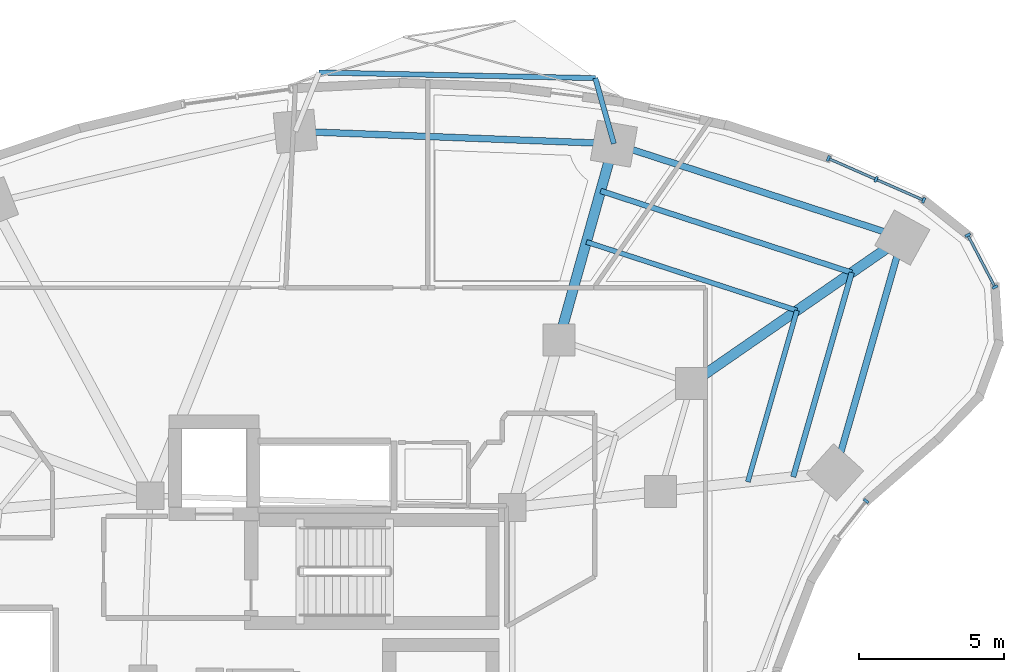
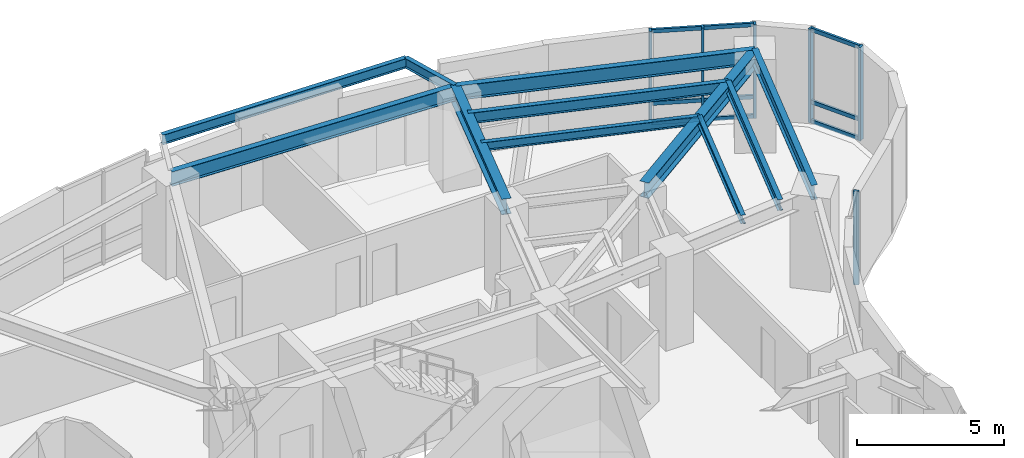
# One storey, part 6 of 15: 15 members, 11 beams, 3 elements without a shape of their own.
"""IFC4 building model written with IfcOpenShell, lengths in metres."""

from ifc_helpers import new_model, si_unit, direction, frame, origin, origin_2d, place, context, subcontext, project, spatial, rectangle, i_section, extrude, material, layer, layer_set, material_profile, profile_set, type_object, element, aggregate, save


model = new_model("IFC4")

# Units and contexts
model_context = context("Model", 3, precision=1e-05, world=origin(), true_north=direction((0.0, 1.0)))
body_context = subcontext(model_context, "Body", "Model", "MODEL_VIEW")
ifc_project = project(units=[si_unit("LENGTHUNIT", "METRE"), si_unit("AREAUNIT", "SQUARE_METRE"), si_unit("VOLUMEUNIT", "CUBIC_METRE"), si_unit("PLANEANGLEUNIT", "RADIAN"), si_unit("MASSUNIT", "GRAM", prefix="KILO")], contexts=[model_context])

# Site, building, storey
site_placement = place(None, origin())
site = spatial("IfcSite", under=ifc_project, at=site_placement, CompositionType="ELEMENT")
building_placement = place(site_placement, origin())
building = spatial("IfcBuilding", under=site, at=building_placement, Name="Korentha Bioscience Tower", CompositionType="ELEMENT")
storey_placement = place(building_placement, frame((0.0, 0.0, 42.60009765625)))
storey = spatial("IfcBuildingStorey", under=building, at=storey_placement, Name="L09", CompositionType="ELEMENT", Elevation=42.60009765625)

# Curtain wall, members
ifc_material_1 = material(Name="Thermally Broken Aluminium Frame", Category="aluminium")
ifc_layer = layer(ifc_material_1, 0.219970703125, Name="Thermally Broken Aluminium Frame")
ifc_layer_set = layer_set([ifc_layer], Name="Thermally Broken Aluminium Frame (CW-T1)")
curtain_wall_type = type_object("IfcCurtainWallType", Name="Standard Bioscience Lab Unitised Curtain Wall CW-T1", PredefinedType="USERDEFINED", material=ifc_layer_set)
curtain_wall_1_placement = place(storey_placement, origin())
curtain_wall_1 = element("IfcCurtainWall", 1, at=curtain_wall_1_placement, inside=storey, type_object=curtain_wall_type, Name="L09 Curtain Wall 01", ObjectType="UNITISED", PredefinedType="USERDEFINED")
ifc_material_2 = material(Name="Anodised Aluminium 6063-T6", Category="aluminium")
ifc_material_profile_1 = material_profile(ifc_material_2, rectangle(XDim=0.090087890625, YDim=0.199951171875, at=origin_2d()), Name="Anodised Aluminium 6063-T6")
ifc_profile_set_1 = profile_set([ifc_material_profile_1], Name="Anodised Aluminium 6063-T6 (CW-MUL)")
member_type_1 = type_object("IfcMemberType", Name="Mullion RECT 90x200", PredefinedType="MULLION", material=ifc_profile_set_1)
member_1_placement = place(storey_placement, frame((51.71337890625, 46.420654296875, 0.0), z_axis=(0.0, 0.0, 1.0), x_axis=(-0.91593909057, 0.401317308828, 0.0)))
member_1 = element("IfcMember", 2, at=member_1_placement, type_object=member_type_1, Name="CW-L09-01 Mullion 1", PredefinedType="MULLION", context=body_context, shape_type="SweptSolid", body=[
    extrude(rectangle(XDim=0.090087890625, YDim=0.199951171875, at=origin_2d()), origin(), (0.0, 0.0, 1.0), 3.89990234375),
])
member_2_placement = place(storey_placement, frame((50.072998046875, 47.139404296875, 0.0), z_axis=(0.0, 0.0, 1.0), x_axis=(-0.91593909057, 0.401317308828, 0.0)))
member_2 = element("IfcMember", 3, at=member_2_placement, type_object=member_type_1, Name="CW-L09-01 Mullion 2", PredefinedType="MULLION", context=body_context, shape_type="SweptSolid", body=[
    extrude(rectangle(XDim=0.090087890625, YDim=0.199951171875, at=origin_2d()), origin(), (0.0, 0.0, 1.0), 3.89990234375),
])
member_3_placement = place(storey_placement, frame((48.43212890625, 47.8583984375, 0.0), z_axis=(0.0, 0.0, 1.0), x_axis=(-0.91593909057, 0.401317308828, 0.0)))
member_3 = element("IfcMember", 4, at=member_3_placement, type_object=member_type_1, Name="CW-L09-01 Mullion 3", PredefinedType="MULLION", context=body_context, shape_type="SweptSolid", body=[
    extrude(rectangle(XDim=0.090087890625, YDim=0.199951171875, at=origin_2d()), origin(), (0.0, 0.0, 1.0), 3.89990234375),
])

# Curtain wall, member
curtain_wall_2_placement = place(storey_placement, origin())
curtain_wall_2 = element("IfcCurtainWall", 5, at=curtain_wall_2_placement, inside=storey, type_object=curtain_wall_type, Name="L09 Curtain Wall 55", ObjectType="UNITISED", PredefinedType="USERDEFINED")
member_4_placement = place(storey_placement, frame((49.73291015625, 36.072021484375, 0.0), z_axis=(0.0, 0.0, 1.0), x_axis=(0.622520324648, 0.782603632371, 0.0)))
member_4 = element("IfcMember", 6, at=member_4_placement, type_object=member_type_1, Name="CW-L09-55 Mullion 2", PredefinedType="MULLION", context=body_context, shape_type="SweptSolid", body=[
    extrude(rectangle(XDim=0.090087890625, YDim=0.199951171875, at=origin_2d()), origin(), (0.0, 0.0, 1.0), 3.89990234375),
])
aggregate(curtain_wall_2, [member_4])

# Curtain wall, members
curtain_wall_3_placement = place(storey_placement, origin())
curtain_wall_3 = element("IfcCurtainWall", 7, at=curtain_wall_3_placement, inside=storey, type_object=curtain_wall_type, Name="L09 Curtain Wall 61", ObjectType="UNITISED", PredefinedType="USERDEFINED")
member_5_placement = place(storey_placement, frame((54.163330078125, 43.435302734375, 0.0), z_axis=(0.0, 0.0, 1.0), x_axis=(-0.463008597697, 0.886353788539, 0.0)))
member_5 = element("IfcMember", 8, at=member_5_placement, type_object=member_type_1, Name="CW-L09-61 Mullion 1", PredefinedType="MULLION", context=body_context, shape_type="SweptSolid", body=[
    extrude(rectangle(XDim=0.090087890625, YDim=0.199951171875, at=origin_2d()), origin(), (0.0, 0.0, 1.0), 3.89990234375),
])
member_6_placement = place(storey_placement, frame((53.22900390625, 45.2236328125, 0.0), z_axis=(0.0, 0.0, 1.0), x_axis=(-0.463008597697, 0.886353788539, 0.0)))
member_6 = element("IfcMember", 9, at=member_6_placement, type_object=member_type_1, Name="CW-L09-61 Mullion 2", PredefinedType="MULLION", context=body_context, shape_type="SweptSolid", body=[
    extrude(rectangle(XDim=0.090087890625, YDim=0.199951171875, at=origin_2d()), origin(), (0.0, 0.0, 1.0), 3.89990234375),
])

# Beams
ifc_material_3 = material(Name="Steel S355", Category="steel")
ifc_material_profile_2 = material_profile(ifc_material_3, i_section(OverallWidth=0.22802734375, OverallDepth=0.60791015625, WebThickness=0.01123046875, FlangeThickness=0.017333984375, at=origin_2d()), Name="Steel S355")
ifc_profile_set_2 = profile_set([ifc_material_profile_2], Name="Steel S355 (SB-610)")
beam_type_1 = type_object("IfcBeamType", Name="Perimeter Ring Spandrel Girder W610x113", PredefinedType="SPANDREL", material=ifc_profile_set_2)
beam_1_placement = place(storey_placement, frame((50.977294921875, 45.135498046875, 3.595947265625), z_axis=(-0.95087511444, 0.309574735305, 0.0), x_axis=(-0.309574735305, -0.95087511444, 0.0)))
element("IfcBeam", 10, at=beam_1_placement, inside=storey, type_object=beam_type_1, Name="L09 Perimeter Spandrel Girder 01", PredefinedType="SPANDREL", context=body_context, shape_type="SweptSolid", body=[
    extrude(i_section(OverallWidth=0.22802734375, OverallDepth=0.60791015625, WebThickness=0.01123046875, FlangeThickness=0.017333984375, at=origin_2d()), origin(), (0.0, 0.0, 1.0), 10.4375),
])
beam_2_placement = place(storey_placement, frame((41.052490234375, 48.36669921875, 3.595947265625), z_axis=(-0.999246003889, 0.03882555488, 0.0), x_axis=(-0.03882555488, -0.999246003889, 0.0)))
element("IfcBeam", 11, at=beam_2_placement, inside=storey, type_object=beam_type_1, Name="L09 Perimeter Spandrel Girder 02", PredefinedType="SPANDREL", context=body_context, shape_type="SweptSolid", body=[
    extrude(i_section(OverallWidth=0.22802734375, OverallDepth=0.60791015625, WebThickness=0.01123046875, FlangeThickness=0.017333984375, at=origin_2d()), origin(), (0.0, 0.0, 1.0), 10.966552734375),
])
beam_3_placement = place(storey_placement, frame((48.661865234375, 37.060791015625, 3.595947265625), z_axis=(0.275642273411, 0.961260285827, 0.0), x_axis=(-0.961260285827, 0.275642273411, 0.0)))
element("IfcBeam", 12, at=beam_3_placement, inside=storey, type_object=beam_type_1, Name="L09 Perimeter Spandrel Girder 16", PredefinedType="SPANDREL", context=body_context, shape_type="SweptSolid", body=[
    extrude(i_section(OverallWidth=0.22802734375, OverallDepth=0.60791015625, WebThickness=0.01123046875, FlangeThickness=0.017333984375, at=origin_2d()), origin(), (0.0, 0.0, 1.0), 8.400146484375),
])
ifc_material_profile_3 = material_profile(ifc_material_3, i_section(OverallWidth=0.18994140625, OverallDepth=0.45703125, WebThickness=0.009033203125, FlangeThickness=0.014404296875, at=origin_2d()), Name="Steel S355")
ifc_profile_set_3 = profile_set([ifc_material_profile_3], Name="Steel S355 (RB-460)")
beam_type_2 = type_object("IfcBeamType", Name="Radial Laboratory Beam W460x74", PredefinedType="BEAM", material=ifc_profile_set_3)
beam_4_placement = place(storey_placement, frame((49.2373046875, 43.931884765625, 3.67138671875), z_axis=(-0.95087437499, 0.309577006554, 0.0), x_axis=(-0.309577006554, -0.95087437499, 0.0)))
element("IfcBeam", 13, at=beam_4_placement, inside=storey, type_object=beam_type_2, Name="L09 Secondary Floor Beam JSTO-01", PredefinedType="BEAM", context=body_context, shape_type="SweptSolid", body=[
    extrude(i_section(OverallWidth=0.18994140625, OverallDepth=0.45703125, WebThickness=0.009033203125, FlangeThickness=0.014404296875, at=origin_2d()), origin(), (0.0, 0.0, 1.0), 9.0849609375),
])
beam_5_placement = place(storey_placement, frame((47.2216796875, 36.90380859375, 3.67138671875), z_axis=(0.275682421415, 0.961248772443, 0.0), x_axis=(-0.961248772443, 0.275682421415, 0.0)))
element("IfcBeam", 14, at=beam_5_placement, inside=storey, type_object=beam_type_2, Name="L09 Secondary Floor Beam JSTO-16", PredefinedType="BEAM", context=body_context, shape_type="SweptSolid", body=[
    extrude(i_section(OverallWidth=0.18994140625, OverallDepth=0.45703125, WebThickness=0.009033203125, FlangeThickness=0.014404296875, at=origin_2d()), origin(), (0.0, 0.0, 1.0), 7.3115234375),
])
ifc_material_profile_4 = material_profile(ifc_material_3, i_section(OverallWidth=0.35009765625, OverallDepth=0.64990234375, WebThickness=0.01611328125, FlangeThickness=0.02490234375, at=origin_2d()), Name="Steel S355")
ifc_profile_set_4 = profile_set([ifc_material_profile_4], Name="Steel S355 (RB-650)")
beam_type_3 = type_object("IfcBeamType", Name="Radial Laboratory Girder CVS 650x208", PredefinedType="BEAM", material=ifc_profile_set_4)
beam_6_placement = place(storey_placement, frame((43.7265625, 40.121337890625, 3.574951171875), z_axis=(0.822488186113, 0.568782193555, 0.0), x_axis=(-0.568782193555, 0.822488186113, 0.0)))
element("IfcBeam", 15, at=beam_6_placement, inside=storey, type_object=beam_type_3, Name="L09 Outer Radial Girder 01", PredefinedType="BEAM", context=body_context, shape_type="SweptSolid", body=[
    extrude(i_section(OverallWidth=0.35009765625, OverallDepth=0.64990234375, WebThickness=0.01611328125, FlangeThickness=0.02490234375, at=origin_2d()), origin(), (0.0, 0.0, 1.0), 8.815673828125),
])
beam_7_placement = place(storey_placement, frame((39.1611328125, 41.607666015625, 3.574951171875), z_axis=(0.269475095129, 0.963007358801, 0.0), x_axis=(-0.963007358801, 0.269475095129, 0.0)))
element("IfcBeam", 16, at=beam_7_placement, inside=storey, type_object=beam_type_3, Name="L09 Outer Radial Girder 02", PredefinedType="BEAM", context=body_context, shape_type="SweptSolid", body=[
    extrude(i_section(OverallWidth=0.35009765625, OverallDepth=0.64990234375, WebThickness=0.01611328125, FlangeThickness=0.02490234375, at=origin_2d()), origin(), (0.0, 0.0, 1.0), 7.0185546875),
])
ifc_material_profile_5 = material_profile(ifc_material_3, i_section(OverallWidth=0.1708984375, OverallDepth=0.35498046875, WebThickness=0.007080078125, FlangeThickness=0.01171875, at=origin_2d()), Name="Steel S355")
ifc_profile_set_5 = profile_set([ifc_material_profile_5], Name="Steel S355 (JB-360)")
beam_type_4 = type_object("IfcBeamType", Name="Secondary Laboratory Joist W360x51", PredefinedType="JOIST", material=ifc_profile_set_5)
beam_8_placement = place(storey_placement, frame((47.35205078125, 42.62841796875, 3.722412109375), z_axis=(-0.950870992772, 0.309587394938, 0.0), x_axis=(-0.309587394938, -0.950870992772, 0.0)))
element("IfcBeam", 17, at=beam_8_placement, inside=storey, type_object=beam_type_4, Name="L09 Secondary Floor Beam JST-01", PredefinedType="JOIST", context=body_context, shape_type="SweptSolid", body=[
    extrude(i_section(OverallWidth=0.1708984375, OverallDepth=0.35498046875, WebThickness=0.007080078125, FlangeThickness=0.01171875, at=origin_2d()), origin(), (0.0, 0.0, 1.0), 7.619384765625),
])
beam_9_placement = place(storey_placement, frame((45.66162109375, 36.73388671875, 3.722412109375), z_axis=(0.275667500387, 0.96125305161, 0.0), x_axis=(-0.96125305161, 0.275667500387, 0.0)))
element("IfcBeam", 18, at=beam_9_placement, inside=storey, type_object=beam_type_4, Name="L09 Secondary Floor Beam JST-16", PredefinedType="JOIST", context=body_context, shape_type="SweptSolid", body=[
    extrude(i_section(OverallWidth=0.1708984375, OverallDepth=0.35498046875, WebThickness=0.007080078125, FlangeThickness=0.01171875, at=origin_2d()), origin(), (0.0, 0.0, 1.0), 6.132080078125),
])
ifc_material_profile_6 = material_profile(ifc_material_3, i_section(OverallWidth=0.177978515625, OverallDepth=0.406982421875, WebThickness=0.0078125, FlangeThickness=0.0126953125, at=origin_2d()), Name="Steel S355")
ifc_profile_set_6 = profile_set([ifc_material_profile_6], Name="Steel S355 (CB-410)")
beam_type_5 = type_object("IfcBeamType", Name="Sun-Ledge Cantilever Beam W410x60", PredefinedType="BEAM", material=ifc_profile_set_6)
beam_10_placement = place(storey_placement, frame((41.052490234375, 48.36669921875, 3.698486328125), z_axis=(-0.272575265029, 0.962134463001, 0.0), x_axis=(-0.962134463001, -0.272575265029, 0.0)))
element("IfcBeam", 19, at=beam_10_placement, inside=storey, type_object=beam_type_5, Name="L09 Balcony Cantilever Bracket A-L10-01", PredefinedType="BEAM", context=body_context, shape_type="SweptSolid", body=[
    extrude(i_section(OverallWidth=0.177978515625, OverallDepth=0.406982421875, WebThickness=0.0078125, FlangeThickness=0.0126953125, at=origin_2d()), origin(), (0.0, 0.0, 1.0), 2.344970703125),
])
beam_11_placement = place(storey_placement, frame((40.413330078125, 50.622802734375, 3.698486328125), z_axis=(-0.999790533568, 0.020466777676, 0.0), x_axis=(-0.020466777676, -0.999790533568, 0.0)))
element("IfcBeam", 20, at=beam_11_placement, inside=storey, type_object=beam_type_5, Name="L09 Balcony Edge Trimmer Beam L10-01", PredefinedType="BEAM", context=body_context, shape_type="SweptSolid", body=[
    extrude(i_section(OverallWidth=0.177978515625, OverallDepth=0.406982421875, WebThickness=0.0078125, FlangeThickness=0.0126953125, at=origin_2d()), origin(), (0.0, 0.0, 1.0), 9.507080078125),
])

# Member
ifc_material_profile_7 = material_profile(ifc_material_2, rectangle(XDim=0.090087890625, YDim=0.159912109375, at=origin_2d()), Name="Anodised Aluminium 6063-T6")
ifc_profile_set_7 = profile_set([ifc_material_profile_7], Name="Anodised Aluminium 6063-T6 (CW-TRN)")
member_type_2 = type_object("IfcMemberType", Name="Transom RECT 90x160", PredefinedType="USERDEFINED", material=ifc_profile_set_7)
member_7_placement = place(storey_placement, frame((51.67236328125, 46.438720703125, 0.044921875), z_axis=(-0.915976098914, 0.401232832926, 0.0), x_axis=(-0.401232832926, -0.915976098914, 0.0)))
member_7 = element("IfcMember", 21, at=member_7_placement, type_object=member_type_2, Name="CW-L09-01 Bay 1 Transom 1", ObjectType="TRANSOM", PredefinedType="USERDEFINED", context=body_context, shape_type="SweptSolid", body=[
    extrude(rectangle(XDim=0.090087890625, YDim=0.159912109375, at=origin_2d()), origin(), (0.0, 0.0, 1.0), 1.701416015625),
])

member_8_placement = place(storey_placement, frame((51.67236328125, 46.438720703125, 0.849853515625), z_axis=(-0.915976098914, 0.401232832926, 0.0), x_axis=(-0.401232832926, -0.915976098914, 0.0)))
member_8 = element("IfcMember", 22, at=member_8_placement, type_object=member_type_2, Name="CW-L09-01 Bay 1 Transom 2", ObjectType="TRANSOM", PredefinedType="USERDEFINED", context=body_context, shape_type="SweptSolid", body=[
    extrude(rectangle(XDim=0.090087890625, YDim=0.159912109375, at=origin_2d()), origin(), (0.0, 0.0, 1.0), 1.701416015625),
])

member_9_placement = place(storey_placement, frame((51.67236328125, 46.438720703125, 3.85498046875), z_axis=(-0.915976098914, 0.401232832926, 0.0), x_axis=(-0.401232832926, -0.915976098914, 0.0)))
member_9 = element("IfcMember", 23, at=member_9_placement, type_object=member_type_2, Name="CW-L09-01 Bay 1 Transom 3", ObjectType="TRANSOM", PredefinedType="USERDEFINED", context=body_context, shape_type="SweptSolid", body=[
    extrude(rectangle(XDim=0.090087890625, YDim=0.159912109375, at=origin_2d()), origin(), (0.0, 0.0, 1.0), 1.701416015625),
])

member_10_placement = place(storey_placement, frame((50.031494140625, 47.15771484375, 0.044921875), z_axis=(-0.915952992218, 0.401285579167, 0.0), x_axis=(-0.401285579167, -0.915952992218, 0.0)))
member_10 = element("IfcMember", 24, at=member_10_placement, type_object=member_type_2, Name="CW-L09-01 Bay 2 Transom 1", ObjectType="TRANSOM", PredefinedType="USERDEFINED", context=body_context, shape_type="SweptSolid", body=[
    extrude(rectangle(XDim=0.090087890625, YDim=0.159912109375, at=origin_2d()), origin(), (0.0, 0.0, 1.0), 1.701171875),
])

member_11_placement = place(storey_placement, frame((50.031494140625, 47.15771484375, 0.849853515625), z_axis=(-0.915952992218, 0.401285579167, 0.0), x_axis=(-0.401285579167, -0.915952992218, 0.0)))
member_11 = element("IfcMember", 25, at=member_11_placement, type_object=member_type_2, Name="CW-L09-01 Bay 2 Transom 2", ObjectType="TRANSOM", PredefinedType="USERDEFINED", context=body_context, shape_type="SweptSolid", body=[
    extrude(rectangle(XDim=0.090087890625, YDim=0.159912109375, at=origin_2d()), origin(), (0.0, 0.0, 1.0), 1.701171875),
])

member_12_placement = place(storey_placement, frame((50.031494140625, 47.15771484375, 3.85498046875), z_axis=(-0.915952992218, 0.401285579167, 0.0), x_axis=(-0.401285579167, -0.915952992218, 0.0)))
member_12 = element("IfcMember", 26, at=member_12_placement, type_object=member_type_2, Name="CW-L09-01 Bay 2 Transom 3", ObjectType="TRANSOM", PredefinedType="USERDEFINED", context=body_context, shape_type="SweptSolid", body=[
    extrude(rectangle(XDim=0.090087890625, YDim=0.159912109375, at=origin_2d()), origin(), (0.0, 0.0, 1.0), 1.701171875),
])

aggregate(curtain_wall_1, [member_1, member_2, member_3, member_7, member_8, member_9, member_10, member_11, member_12])

member_13_placement = place(storey_placement, frame((54.142333984375, 43.47509765625, 0.044921875), z_axis=(-0.462899248902, 0.886410900974, 0.0), x_axis=(-0.886410900974, -0.462899248902, 0.0)))
member_13 = element("IfcMember", 27, at=member_13_placement, type_object=member_type_2, Name="CW-L09-61 Bay 1 Transom 1", ObjectType="TRANSOM", PredefinedType="USERDEFINED", context=body_context, shape_type="SweptSolid", body=[
    extrude(rectangle(XDim=0.090087890625, YDim=0.159912109375, at=origin_2d()), origin(), (0.0, 0.0, 1.0), 1.927734375),
])

member_14_placement = place(storey_placement, frame((54.142333984375, 43.47509765625, 0.849853515625), z_axis=(-0.462899248902, 0.886410900974, 0.0), x_axis=(-0.886410900974, -0.462899248902, 0.0)))
member_14 = element("IfcMember", 28, at=member_14_placement, type_object=member_type_2, Name="CW-L09-61 Bay 1 Transom 2", ObjectType="TRANSOM", PredefinedType="USERDEFINED", context=body_context, shape_type="SweptSolid", body=[
    extrude(rectangle(XDim=0.090087890625, YDim=0.159912109375, at=origin_2d()), origin(), (0.0, 0.0, 1.0), 1.927734375),
])

member_15_placement = place(storey_placement, frame((54.142333984375, 43.47509765625, 3.85498046875), z_axis=(-0.462899248902, 0.886410900974, 0.0), x_axis=(-0.886410900974, -0.462899248902, 0.0)))
member_15 = element("IfcMember", 29, at=member_15_placement, type_object=member_type_2, Name="CW-L09-61 Bay 1 Transom 3", ObjectType="TRANSOM", PredefinedType="USERDEFINED", context=body_context, shape_type="SweptSolid", body=[
    extrude(rectangle(XDim=0.090087890625, YDim=0.159912109375, at=origin_2d()), origin(), (0.0, 0.0, 1.0), 1.927734375),
])

aggregate(curtain_wall_3, [member_5, member_6, member_13, member_14, member_15])

save(model, "model.ifc")
